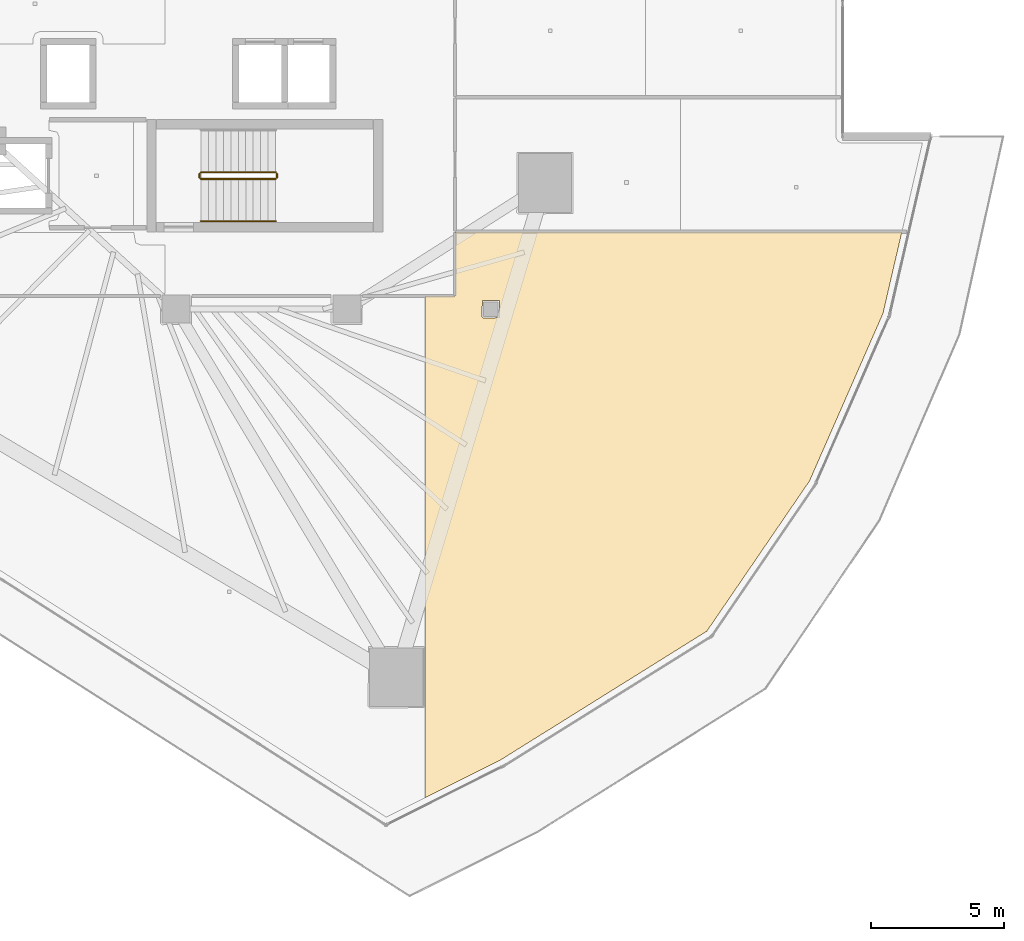
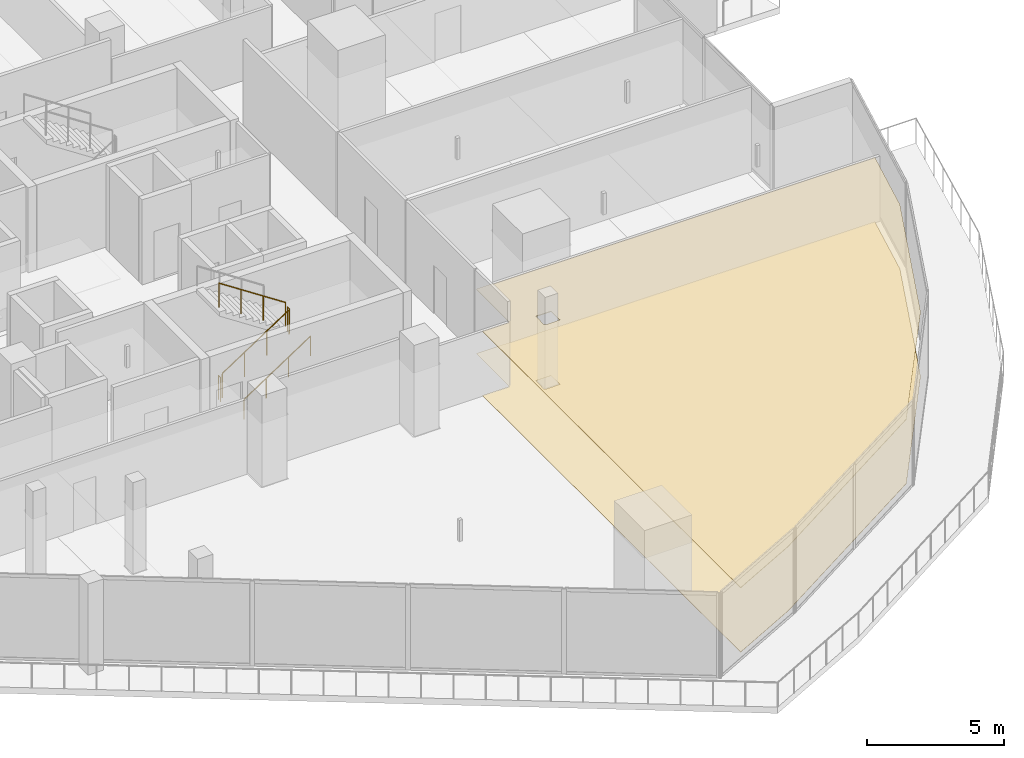
# One storey, part 32 of 35: 5 railings, 2 coverings.
"""IFC4 building model written with IfcOpenShell, lengths in metres."""

from ifc_helpers import new_model, si_unit, direction, frame, origin, origin_2d, place, context, subcontext, project, spatial, polyline, circle, outline, extrude, material, layer, layer_set, type_object, element, save


model = new_model("IFC4")

# Units and contexts
model_context = context("Model", 3, precision=1e-05, world=origin(), true_north=direction((0.0, 1.0)))
body_context = subcontext(model_context, "Body", "Model", "MODEL_VIEW")
ifc_project = project(units=[si_unit("LENGTHUNIT", "METRE"), si_unit("AREAUNIT", "SQUARE_METRE"), si_unit("VOLUMEUNIT", "CUBIC_METRE"), si_unit("PLANEANGLEUNIT", "RADIAN"), si_unit("MASSUNIT", "GRAM", prefix="KILO")], contexts=[model_context])

# Site, building, storey
site_placement = place(None, origin())
site = spatial("IfcSite", under=ifc_project, at=site_placement, CompositionType="ELEMENT")
building_placement = place(site_placement, origin())
building = spatial("IfcBuilding", under=site, at=building_placement, Name="Qorvath Tower", CompositionType="ELEMENT")
storey_placement = place(building_placement, frame((0.0, 0.0, 130.050048828125)))
storey = spatial("IfcBuildingStorey", under=building, at=storey_placement, Name="L29", CompositionType="ELEMENT", Elevation=130.050048828125)

# Coverings
ifc_material_1 = material(Name="Acoustic mineral fibre ceiling tile", Category="gypsum")
ifc_layer_1 = layer(ifc_material_1, 0.030029296875)
ifc_layer_set_1 = layer_set([ifc_layer_1], Name="COV-CEIL")
covering_type_1 = type_object("IfcCoveringType", Name="COV-CEIL", PredefinedType="CEILING", material=ifc_layer_set_1)
covering_1_placement = place(storey_placement, frame((0.0, 0.0, 2.849853515625)))
element("IfcCovering", 1, at=covering_1_placement, inside=storey, type_object=covering_type_1, Name="L29 Suspended Acoustic Ceiling 024", PredefinedType="CEILING", context=body_context, shape_type="SweptSolid", body=[
    extrude(outline(polyline([(-11.463134765625, -28.367431640625), (-3.70166015625, -23.522705078125), (0.1484375, -17.88818359375), (2.901123046875, -11.611572265625), (3.60791015625, -8.554931640625), (-13.136962890625, -8.554931640625), (-13.14208984375, -10.962890625), (-14.27880859375, -10.962890625), (-14.27880859375, -29.775390625), (-11.463134765625, -28.367431640625)]), holes=[polyline([(-12.135009765625, -11.72509765625), (-12.117431640625, -11.132568359375), (-11.482666015625, -11.132568359375), (-11.482666015625, -11.767333984375), (-12.074951171875, -11.784912109375), (-12.135009765625, -11.72509765625)])]), origin(), (0.0, 0.0, 1.0), 0.030029296875),
])
ifc_material_2 = material(Name="Low-VOC modular carpet tile", Category="textile")
ifc_layer_2 = layer(ifc_material_2, 0.014892578125)
ifc_layer_set_2 = layer_set([ifc_layer_2], Name="COV-FLOOR-CPT")
covering_type_2 = type_object("IfcCoveringType", Name="COV-FLOOR-CPT", PredefinedType="FLOORING", material=ifc_layer_set_2)
covering_2_placement = place(storey_placement, origin())
element("IfcCovering", 2, at=covering_2_placement, inside=storey, type_object=covering_type_2, Name="L29 Floor Finish 024", PredefinedType="FLOORING", context=body_context, shape_type="SweptSolid", body=[
    extrude(outline(polyline([(-11.463134765625, -28.367431640625), (-3.70166015625, -23.522705078125), (0.1484375, -17.88818359375), (2.901123046875, -11.611572265625), (3.60791015625, -8.554931640625), (-13.136962890625, -8.554931640625), (-13.14208984375, -10.962890625), (-14.27880859375, -10.962890625), (-14.27880859375, -29.775390625), (-11.463134765625, -28.367431640625)]), holes=[polyline([(-12.135009765625, -11.72509765625), (-12.117431640625, -11.132568359375), (-11.482666015625, -11.132568359375), (-11.482666015625, -11.767333984375), (-12.074951171875, -11.784912109375), (-12.135009765625, -11.72509765625)])]), origin(), (0.0, 0.0, 1.0), 0.014892578125),
])

# Railings
ifc_material_3 = material(Name="Painted galvanised steel", Category="steel")
railing_type_1 = type_object("IfcRailingType", Name="RL-STR-GRD", PredefinedType="GUARDRAIL", material=ifc_material_3)
railing_1_placement = place(storey_placement, frame((-22.669921875, -6.570068359375, 0.18408203125)))
element("IfcRailing", 3, at=railing_1_placement, inside=storey, type_object=railing_type_1, Name="L29 TS2 stair guard 1", PredefinedType="GUARDRAIL", context=body_context, shape_type="SweptSolid", body=[
    extrude(circle(Radius=0.02392578125, at=origin_2d()), frame((0.0, 0.0, 1.076171875), z_axis=(0.835575518608, 0.0, 0.549375602573), x_axis=(0.0, 1.0, 0.0)), (0.0, 0.0, 1.0), 3.350830078125),
    extrude(circle(Radius=0.02099609375, at=origin_2d()), origin(), (0.0, 0.0, 1.0), 1.052001953125),
    extrude(circle(Radius=0.02099609375, at=origin_2d()), frame((0.933349609375, 0.0, 0.613525390625)), (0.0, 0.0, 1.0), 1.052001953125),
    extrude(circle(Radius=0.02099609375, at=origin_2d()), frame((1.866455078125, 0.0, 1.227294921875)), (0.0, 0.0, 1.0), 1.052001953125),
    extrude(circle(Radius=0.02099609375, at=origin_2d()), frame((2.7998046875, 0.0, 1.8408203125)), (0.0, 0.0, 1.0), 1.052001953125),
])
railing_2_placement = place(storey_placement, frame((-19.820068359375, -6.52001953125, 2.02490234375)))
element("IfcRailing", 4, at=railing_2_placement, inside=storey, type_object=railing_type_1, Name="L29 TS2 stair guard 2", PredefinedType="GUARDRAIL", context=body_context, shape_type="SweptSolid", body=[
    extrude(circle(Radius=0.02392578125, at=origin_2d()), frame((0.0, 0.0, 1.076171875), z_axis=(0.0, 1.0, 0.0), x_axis=(-1.0, 0.0, 0.0)), (0.0, 0.0, 1.0), 0.14990234375),
    extrude(circle(Radius=0.02099609375, at=origin_2d()), origin(), (0.0, 0.0, 1.0), 1.052001953125),
    extrude(circle(Radius=0.02099609375, at=origin_2d()), frame((0.0, 0.14990234375, 0.0)), (0.0, 0.0, 1.0), 1.052001953125),
])
railing_3_placement = place(storey_placement, frame((-19.8701171875, -6.320068359375, 2.208984375)))
element("IfcRailing", 5, at=railing_3_placement, inside=storey, type_object=railing_type_1, Name="L29 TS2 stair guard 3", PredefinedType="GUARDRAIL", context=body_context, shape_type="SweptSolid", body=[
    extrude(circle(Radius=0.02392578125, at=origin_2d()), frame((0.0, 0.0, 1.076171875), z_axis=(-0.835542071712, 0.0, 0.549426470421), x_axis=(0.0, -1.0, 0.0)), (0.0, 0.0, 1.0), 3.350830078125),
    extrude(circle(Radius=0.02099609375, at=origin_2d()), origin(), (0.0, 0.0, 1.0), 1.052001953125),
    extrude(circle(Radius=0.02099609375, at=origin_2d()), frame((-0.933349609375, 0.0, 0.61376953125)), (0.0, 0.0, 1.0), 1.052001953125),
    extrude(circle(Radius=0.02099609375, at=origin_2d()), frame((-1.866455078125, 0.0, 1.227294921875)), (0.0, 0.0, 1.0), 1.052001953125),
    extrude(circle(Radius=0.02099609375, at=origin_2d()), frame((-2.7998046875, 0.0, 1.841064453125)), (0.0, 0.0, 1.0), 1.052001953125),
])
railing_4_placement = place(storey_placement, frame((-22.719970703125, -6.52001953125, 0.0)))
element("IfcRailing", 6, at=railing_4_placement, inside=storey, type_object=railing_type_1, Name="L29 TS2 stair guard 4", PredefinedType="GUARDRAIL", context=body_context, shape_type="SweptSolid", body=[
    extrude(circle(Radius=0.02392578125, at=origin_2d()), frame((0.0, 0.0, 1.076171875), z_axis=(0.0, 1.0, 0.0), x_axis=(-1.0, 0.0, 0.0)), (0.0, 0.0, 1.0), 0.14990234375),
    extrude(circle(Radius=0.02099609375, at=origin_2d()), origin(), (0.0, 0.0, 1.0), 1.052001953125),
    extrude(circle(Radius=0.02099609375, at=origin_2d()), frame((0.0, 0.14990234375, 0.0)), (0.0, 0.0, 1.0), 1.052001953125),
])
ifc_material_4 = material(Name="Brushed stainless steel AISI 304", Category="steel")
railing_type_2 = type_object("IfcRailingType", Name="RL-STR-HND", PredefinedType="HANDRAIL", material=ifc_material_4)
railing_5_placement = place(storey_placement, frame((-22.669921875, -8.14990234375, 0.18408203125)))
element("IfcRailing", 7, at=railing_5_placement, inside=storey, type_object=railing_type_2, Name="L29 TS2 stair handrail 1", PredefinedType="HANDRAIL", context=body_context, shape_type="SweptSolid", body=[
    extrude(circle(Radius=0.02392578125, at=origin_2d()), frame((0.0, 0.0, 0.8759765625), z_axis=(0.835575518608, 0.0, 0.549375602573), x_axis=(0.0, 1.0, 0.0)), (0.0, 0.0, 1.0), 3.350830078125),
    extrude(circle(Radius=0.02099609375, at=origin_2d()), origin(), (0.0, 0.0, 1.0), 0.851806640625),
    extrude(circle(Radius=0.02099609375, at=origin_2d()), frame((0.933349609375, 0.0, 0.613525390625)), (0.0, 0.0, 1.0), 0.851806640625),
    extrude(circle(Radius=0.02099609375, at=origin_2d()), frame((1.866455078125, 0.0, 1.227294921875)), (0.0, 0.0, 1.0), 0.851806640625),
    extrude(circle(Radius=0.02099609375, at=origin_2d()), frame((2.7998046875, 0.0, 1.8408203125)), (0.0, 0.0, 1.0), 0.851806640625),
])

save(model, "model.ifc")
